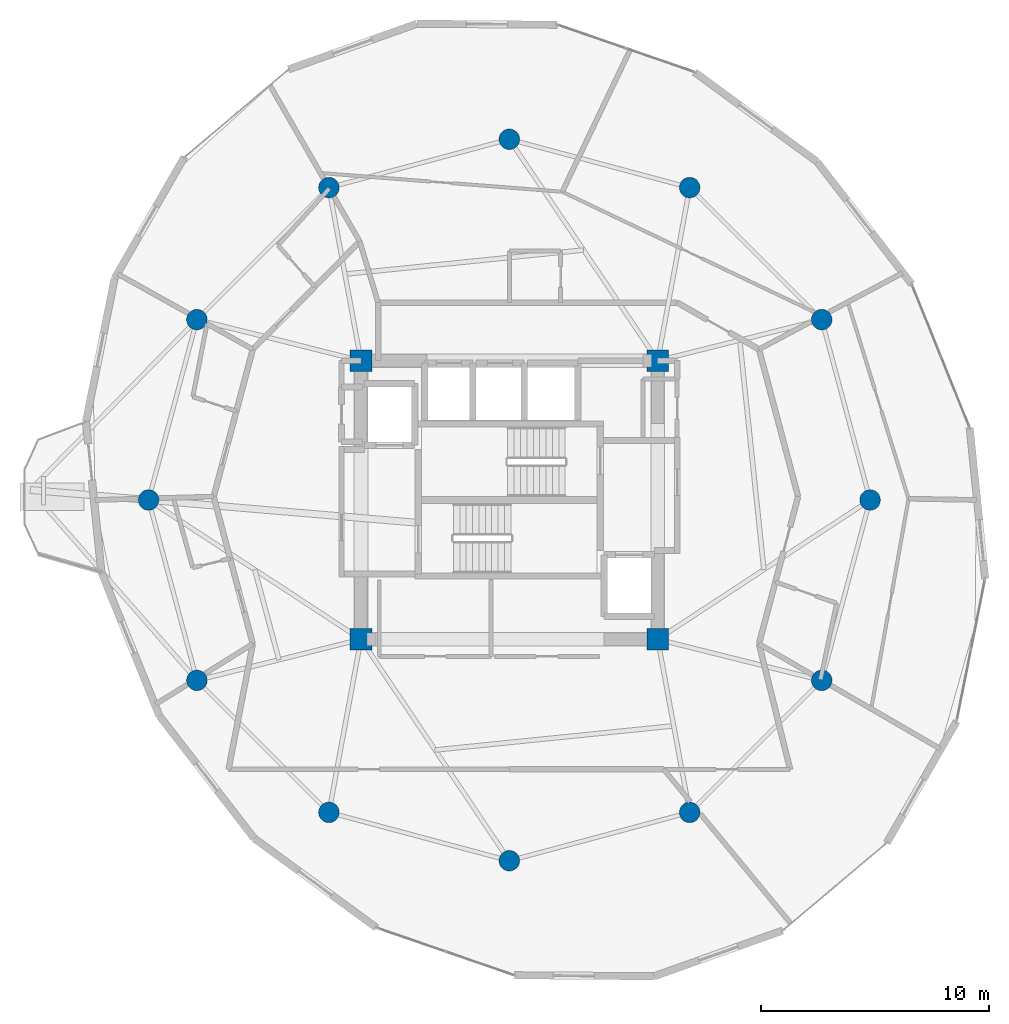
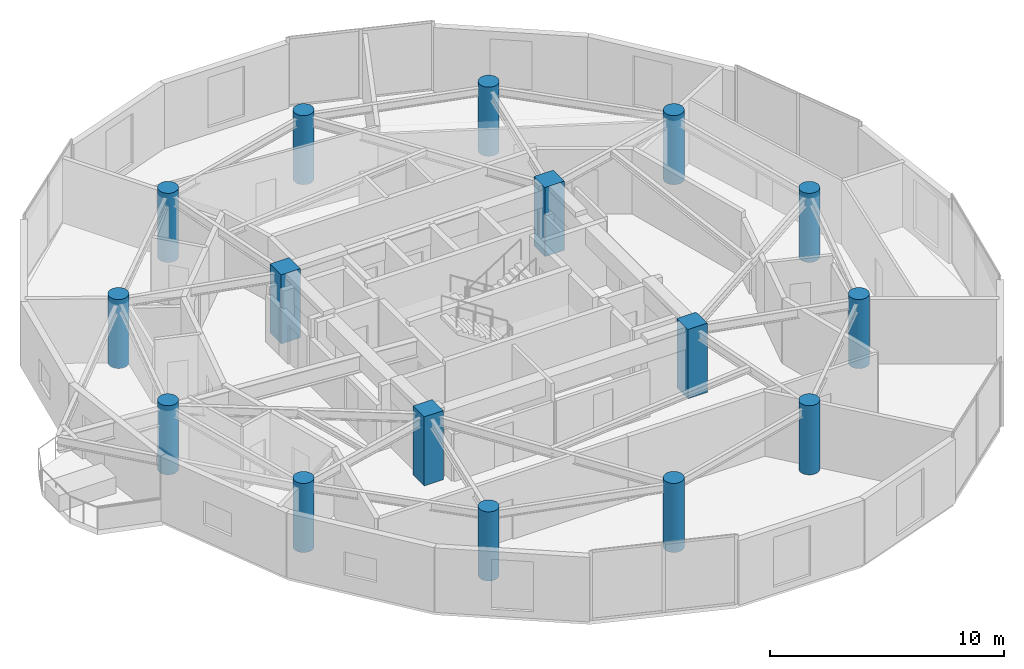
# One storey, part 1 of 17: 16 columns.
"""IFC4 building model written with IfcOpenShell, lengths in metres."""

from ifc_helpers import new_model, si_unit, direction, frame, origin, origin_2d, place, context, subcontext, project, spatial, rectangle, circle, extrude, material, material_profile, profile_set, type_object, element, save


model = new_model("IFC4")

# Units and contexts
model_context = context("Model", 3, precision=1e-05, world=origin(), true_north=direction((0.0, 1.0)))
body_context = subcontext(model_context, "Body", "Model", "MODEL_VIEW")
ifc_project = project(units=[si_unit("LENGTHUNIT", "METRE"), si_unit("AREAUNIT", "SQUARE_METRE"), si_unit("VOLUMEUNIT", "CUBIC_METRE"), si_unit("PLANEANGLEUNIT", "RADIAN"), si_unit("MASSUNIT", "GRAM", prefix="KILO")], contexts=[model_context])

# Site, building, storey
site_placement = place(None, origin())
site = spatial("IfcSite", under=ifc_project, at=site_placement, CompositionType="ELEMENT")
building_placement = place(site_placement, origin())
building = spatial("IfcBuilding", under=site, at=building_placement, Name="Solvirekh Grand Hotel", CompositionType="ELEMENT")
storey_placement = place(building_placement, frame((0.0, 0.0, 191.199951171875)))
storey = spatial("IfcBuildingStorey", under=building, at=storey_placement, Name="L49", CompositionType="ELEMENT", Elevation=191.199951171875)

# Columns
ifc_material = material(Name="Concrete C50/60", Category="concrete")
ifc_material_profile_1 = material_profile(ifc_material, rectangle(XDim=0.949951171875, YDim=0.949951171875, at=origin_2d()), Name="RC 950X950")
ifc_profile_set_1 = profile_set([ifc_material_profile_1], Name="Concrete C50/60")
column_type_1 = type_object("IfcColumnType", Name="Col_Core_950", PredefinedType="COLUMN", material=ifc_profile_set_1)
for number, where, z_axis, x_axis, name in (
    (1, (-6.5, -6.10009765625, 0.0), (0.0, 0.0, 1.0), (1.0, 0.0, 0.0), "L49 core corner column CC1"),
    (2, (6.5, -6.10009765625, 0.0), (0.0, 0.0, 1.0), (1.0, 0.0, 0.0), "L49 core corner column CC2"),
    (3, (6.5, 6.10009765625, 0.0), (0.0, 0.0, 1.0), (1.0, 0.0, 0.0), "L49 core corner column CC3"),
    (4, (-6.5, 6.10009765625, 0.0), (0.0, 0.0, 1.0), (1.0, 0.0, 0.0), "L49 core corner column CC4"),
):
    element("IfcColumn", number, at=place(storey_placement, frame(where, z_axis=z_axis, x_axis=x_axis)), inside=storey, type_object=column_type_1, Name=name, PredefinedType="COLUMN", context=body_context, shape_type="SweptSolid", body=[
        extrude(rectangle(XDim=0.949951171875, YDim=0.949951171875, at=origin_2d()), origin(), (0.0, 0.0, 1.0), 3.60009765625),
    ])
ifc_material_profile_2 = material_profile(ifc_material, circle(Radius=0.449951171875, at=origin_2d()), Name="RC CIRC D900")
ifc_profile_set_2 = profile_set([ifc_material_profile_2], Name="Concrete C50/60")
column_type_2 = type_object("IfcColumnType", Name="Col_Z3_D900", PredefinedType="COLUMN", material=ifc_profile_set_2)
for number, where, z_axis, x_axis, name in (
    (5, (15.800048828125, 0.0, 0.0), (0.0, 0.0, 1.0), (1.0, 0.0, 0.0), "L49 perimeter column P01"),
    (6, (13.68310546875, 7.89990234375, 0.0), (0.0, 0.0, 1.0), (1.0, 0.0, 0.0), "L49 perimeter column P02"),
    (7, (7.89990234375, 13.68310546875, 0.0), (0.0, 0.0, 1.0), (1.0, 0.0, 0.0), "L49 perimeter column P03"),
    (8, (0.0, 15.800048828125, 0.0), (0.0, 0.0, 1.0), (1.0, 0.0, 0.0), "L49 perimeter column P04"),
    (9, (-7.89990234375, 13.68310546875, 0.0), (0.0, 0.0, 1.0), (1.0, 0.0, 0.0), "L49 perimeter column P05"),
    (10, (-13.68310546875, 7.89990234375, 0.0), (0.0, 0.0, 1.0), (1.0, 0.0, 0.0), "L49 perimeter column P06"),
    (11, (-15.800048828125, 0.0, 0.0), (0.0, 0.0, 1.0), (1.0, 0.0, 0.0), "L49 perimeter column P07"),
    (12, (-13.68310546875, -7.89990234375, 0.0), (0.0, 0.0, 1.0), (1.0, 0.0, 0.0), "L49 perimeter column P08"),
    (13, (-7.89990234375, -13.68310546875, 0.0), (0.0, 0.0, 1.0), (1.0, 0.0, 0.0), "L49 perimeter column P09"),
    (14, (0.0, -15.800048828125, 0.0), (0.0, 0.0, 1.0), (1.0, 0.0, 0.0), "L49 perimeter column P10"),
    (15, (7.89990234375, -13.68310546875, 0.0), (0.0, 0.0, 1.0), (1.0, 0.0, 0.0), "L49 perimeter column P11"),
    (16, (13.68310546875, -7.89990234375, 0.0), (0.0, 0.0, 1.0), (1.0, 0.0, 0.0), "L49 perimeter column P12"),
):
    element("IfcColumn", number, at=place(storey_placement, frame(where, z_axis=z_axis, x_axis=x_axis)), inside=storey, type_object=column_type_2, Name=name, PredefinedType="COLUMN", context=body_context, shape_type="SweptSolid", body=[
        extrude(circle(Radius=0.449951171875, at=origin_2d()), origin(), (0.0, 0.0, 1.0), 3.60009765625),
    ])

save(model, "model.ifc")
